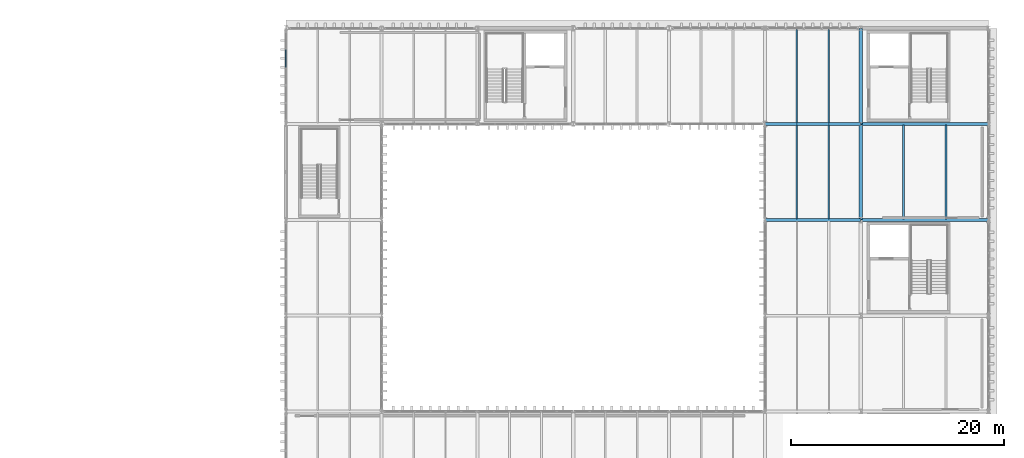
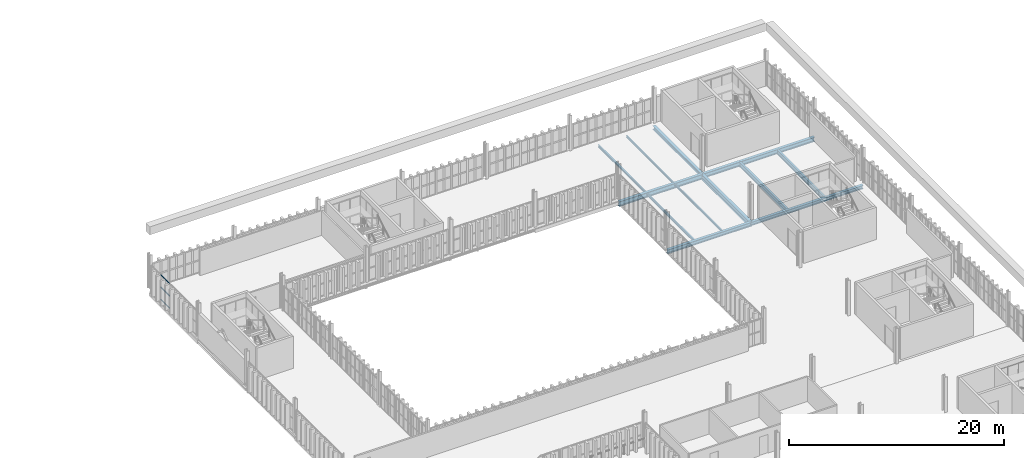
# One storey, part 67 of 102: 12 beams, 3 members, 1 element without a shape of its own.
"""IFC4 building model written with IfcOpenShell, lengths in metres."""

from ifc_helpers import new_model, si_unit, direction, frame, origin, origin_2d, place, context, subcontext, project, spatial, hollow_rectangle, i_section, extrude, material, layer, layer_set, material_profile, profile_set, type_object, element, aggregate, save


model = new_model("IFC4")

# Units and contexts
model_context = context("Model", 3, precision=1e-05, world=origin(), true_north=direction((0.0, 1.0)))
body_context = subcontext(model_context, "Body", "Model", "MODEL_VIEW")
ifc_project = project(units=[si_unit("LENGTHUNIT", "METRE"), si_unit("AREAUNIT", "SQUARE_METRE"), si_unit("VOLUMEUNIT", "CUBIC_METRE"), si_unit("PLANEANGLEUNIT", "RADIAN"), si_unit("MASSUNIT", "GRAM", prefix="KILO")], contexts=[model_context])

# Site, building, storey
site_placement = place(None, origin())
site = spatial("IfcSite", under=ifc_project, at=site_placement, CompositionType="ELEMENT")
building_placement = place(site_placement, origin())
building = spatial("IfcBuilding", under=site, at=building_placement, Name="Barlavento Convention Centre", CompositionType="ELEMENT")
storey_placement = place(building_placement, frame((0.0, 0.0, 22.800048828125)))
storey = spatial("IfcBuildingStorey", under=building, at=storey_placement, Name="L04", CompositionType="ELEMENT", Elevation=22.800048828125)

# Curtain wall, members
ifc_material_1 = material(Name="Powder-coated aluminium and Low-E glass", Category="aluminium")
ifc_layer = layer(ifc_material_1, 0.18505859375)
ifc_layer_set = layer_set([ifc_layer], Name="ARC-CW-CONF-L04")
curtain_wall_type = type_object("IfcCurtainWallType", Name="ARC-CW-CONF-L04", PredefinedType="NOTDEFINED", material=ifc_layer_set)
curtain_wall_placement = place(storey_placement, origin())
curtain_wall = element("IfcCurtainWall", 1, at=curtain_wall_placement, inside=storey, type_object=curtain_wall_type, Name="L04 unitised curtain wall CW09", PredefinedType="NOTDEFINED")
ifc_material_2 = material(Name="Powder-coated aluminium", Category="aluminium")
ifc_material_profile_1 = material_profile(ifc_material_2, hollow_rectangle(XDim=0.06005859375, YDim=0.1201171875, WallThickness=0.00390625, at=origin_2d()), Name="AL-TRAN 60x120x4")
ifc_profile_set_1 = profile_set([ifc_material_profile_1], Name="Powder-coated aluminium")
member_type = type_object("IfcMemberType", Name="ARC-CWT-60X120", PredefinedType="USERDEFINED", material=ifc_profile_set_1)
member_1_placement = place(storey_placement, frame((126.0, 95.35791015625, 0.030029296875), z_axis=(0.0, 1.0, 0.0), x_axis=(-1.0, 0.0, 0.0)))
member_1 = element("IfcMember", 2, at=member_1_placement, type_object=member_type, Name="CW09 transom 4.1", ObjectType="TRANSOM", PredefinedType="USERDEFINED", context=body_context, shape_type="SweptSolid", body=[
    extrude(hollow_rectangle(XDim=0.06005859375, YDim=0.1201171875, WallThickness=0.00390625, at=origin_2d()), origin(), (0.0, 0.0, 1.0), 1.62109375),
])
member_2_placement = place(storey_placement, frame((126.0, 95.35791015625, 1.425048828125), z_axis=(0.0, 1.0, 0.0), x_axis=(-1.0, 0.0, 0.0)))
member_2 = element("IfcMember", 3, at=member_2_placement, type_object=member_type, Name="CW09 transom 4.2", ObjectType="TRANSOM", PredefinedType="USERDEFINED", context=body_context, shape_type="SweptSolid", body=[
    extrude(hollow_rectangle(XDim=0.06005859375, YDim=0.1201171875, WallThickness=0.00390625, at=origin_2d()), origin(), (0.0, 0.0, 1.0), 1.62109375),
])
member_3_placement = place(storey_placement, frame((126.0, 95.35791015625, 2.820068359375), z_axis=(0.0, 1.0, 0.0), x_axis=(-1.0, 0.0, 0.0)))
member_3 = element("IfcMember", 4, at=member_3_placement, type_object=member_type, Name="CW09 transom 4.3", ObjectType="TRANSOM", PredefinedType="USERDEFINED", context=body_context, shape_type="SweptSolid", body=[
    extrude(hollow_rectangle(XDim=0.06005859375, YDim=0.1201171875, WallThickness=0.00390625, at=origin_2d()), origin(), (0.0, 0.0, 1.0), 1.62109375),
])
aggregate(curtain_wall, [member_1, member_2, member_3])

# Beams
ifc_material_3 = material(Name="Steel S355", Category="steel")
ifc_material_profile_2 = material_profile(ifc_material_3, i_section(OverallWidth=0.1201171875, OverallDepth=0.239990234375, WebThickness=0.006103515625, FlangeThickness=0.009765625, FilletRadius=0.014892578125, at=origin_2d()), Name="IPE 240")
ifc_profile_set_2 = profile_set([ifc_material_profile_2], Name="Steel S355")
beam_type_1 = type_object("IfcBeamType", Name="STR-BM-JST-IPE240", PredefinedType="JOIST", material=ifc_profile_set_2)
for number, where, z_axis, x_axis, name in (
    (5, (177.0, 81.094970703125, -0.47998046875), (0.0, 1.0, 0.0), (-1.0, 0.0, 0.0), "L04 composite floor joist SJ09"),
    (6, (177.0, 90.094970703125, -0.47998046875), (0.0, 1.0, 0.0), (-1.0, 0.0, 0.0), "L04 composite floor joist SJ09"),
):
    element("IfcBeam", number, at=place(storey_placement, frame(where, z_axis=z_axis, x_axis=x_axis)), inside=storey, type_object=beam_type_1, Name=name, PredefinedType="JOIST", context=body_context, shape_type="SweptSolid", body=[
        extrude(i_section(OverallWidth=0.1201171875, OverallDepth=0.239990234375, WebThickness=0.006103515625, FlangeThickness=0.009765625, FilletRadius=0.014892578125, at=origin_2d()), origin(), (0.0, 0.0, 1.0), 8.81005859375),
    ])
ifc_material_profile_3 = material_profile(ifc_material_3, i_section(OverallWidth=0.135009765625, OverallDepth=0.27001953125, WebThickness=0.006591796875, FlangeThickness=0.01025390625, FilletRadius=0.014892578125, at=origin_2d()), Name="IPE 270")
ifc_profile_set_3 = profile_set([ifc_material_profile_3], Name="Steel S355")
beam_type_2 = type_object("IfcBeamType", Name="STR-BM-JST-IPE270", PredefinedType="JOIST", material=ifc_profile_set_3)
for number, where, z_axis, x_axis, name in (
    (7, (174.0, 81.094970703125, -0.4951171875), (0.0, 1.0, 0.0), (-1.0, 0.0, 0.0), "L04 composite floor joist SJ08"),
    (8, (174.0, 90.094970703125, -0.4951171875), (0.0, 1.0, 0.0), (-1.0, 0.0, 0.0), "L04 composite floor joist SJ08"),
):
    element("IfcBeam", number, at=place(storey_placement, frame(where, z_axis=z_axis, x_axis=x_axis)), inside=storey, type_object=beam_type_2, Name=name, PredefinedType="JOIST", context=body_context, shape_type="SweptSolid", body=[
        extrude(i_section(OverallWidth=0.135009765625, OverallDepth=0.27001953125, WebThickness=0.006591796875, FlangeThickness=0.01025390625, FilletRadius=0.014892578125, at=origin_2d()), origin(), (0.0, 0.0, 1.0), 8.81005859375),
    ])
ifc_material_profile_4 = material_profile(ifc_material_3, i_section(OverallWidth=0.199951171875, OverallDepth=0.5, WebThickness=0.01025390625, FlangeThickness=0.01611328125, FilletRadius=0.02099609375, at=origin_2d()), Name="IPE 500")
ifc_profile_set_4 = profile_set([ifc_material_profile_4], Name="Steel S355")
beam_type_3 = type_object("IfcBeamType", Name="STR-BM-JST-IPE500", PredefinedType="JOIST", material=ifc_profile_set_4)
beam_1_placement = place(storey_placement, frame((188.0, 81.094970703125, -0.610107421875), z_axis=(0.0, 1.0, 0.0), x_axis=(-1.0, 0.0, 0.0)))
element("IfcBeam", 9, at=beam_1_placement, inside=storey, type_object=beam_type_3, Name="L04 composite floor joist SJ02", PredefinedType="JOIST", context=body_context, shape_type="SweptSolid", body=[
    extrude(i_section(OverallWidth=0.199951171875, OverallDepth=0.5, WebThickness=0.01025390625, FlangeThickness=0.01611328125, FilletRadius=0.02099609375, at=origin_2d()), origin(), (0.0, 0.0, 1.0), 8.81005859375),
])
ifc_material_profile_5 = material_profile(ifc_material_3, i_section(OverallWidth=0.2099609375, OverallDepth=0.550048828125, WebThickness=0.010986328125, FlangeThickness=0.01708984375, FilletRadius=0.02392578125, at=origin_2d()), Name="IPE 550")
ifc_profile_set_5 = profile_set([ifc_material_profile_5], Name="Steel S355")
beam_type_4 = type_object("IfcBeamType", Name="STR-BM-JST-IPE550", PredefinedType="JOIST", material=ifc_profile_set_5)
beam_2_placement = place(storey_placement, frame((184.0, 81.094970703125, -0.635009765625), z_axis=(0.0, 1.0, 0.0), x_axis=(-1.0, 0.0, 0.0)))
element("IfcBeam", 10, at=beam_2_placement, inside=storey, type_object=beam_type_4, Name="L04 composite floor joist SJ01", PredefinedType="JOIST", context=body_context, shape_type="SweptSolid", body=[
    extrude(i_section(OverallWidth=0.2099609375, OverallDepth=0.550048828125, WebThickness=0.010986328125, FlangeThickness=0.01708984375, FilletRadius=0.02392578125, at=origin_2d()), origin(), (0.0, 0.0, 1.0), 8.81005859375),
])
ifc_material_profile_6 = material_profile(ifc_material_3, i_section(OverallWidth=0.300048828125, OverallDepth=0.389892578125, WebThickness=0.010986328125, FlangeThickness=0.01904296875, FilletRadius=0.027099609375, at=origin_2d()), Name="HEA 400")
ifc_profile_set_6 = profile_set([ifc_material_profile_6], Name="Steel S355")
beam_type_5 = type_object("IfcBeamType", Name="STR-BM-PRI-HEA400", PredefinedType="BEAM", material=ifc_profile_set_6)
beam_3_placement = place(storey_placement, frame((180.0, 90.02001953125, -0.554931640625), z_axis=(0.0, 1.0, 0.0), x_axis=(-1.0, 0.0, 0.0)))
element("IfcBeam", 11, at=beam_3_placement, inside=storey, type_object=beam_type_5, Name="L04 grid girder BG22", PredefinedType="BEAM", context=body_context, shape_type="SweptSolid", body=[
    extrude(i_section(OverallWidth=0.300048828125, OverallDepth=0.389892578125, WebThickness=0.010986328125, FlangeThickness=0.01904296875, FilletRadius=0.027099609375, at=origin_2d()), origin(), (0.0, 0.0, 1.0), 8.9599609375),
])
ifc_material_profile_7 = material_profile(ifc_material_3, i_section(OverallWidth=0.300048828125, OverallDepth=0.590087890625, WebThickness=0.012939453125, FlangeThickness=0.02490234375, FilletRadius=0.027099609375, at=origin_2d()), Name="HEA 600")
ifc_profile_set_7 = profile_set([ifc_material_profile_7], Name="Steel S355")
beam_type_6 = type_object("IfcBeamType", Name="STR-BM-PRI-HEA600", PredefinedType="BEAM", material=ifc_profile_set_7)
beam_4_placement = place(storey_placement, frame((180.0, 81.02001953125, -0.655029296875), z_axis=(0.0, 1.0, 0.0), x_axis=(-1.0, 0.0, 0.0)))
element("IfcBeam", 12, at=beam_4_placement, inside=storey, type_object=beam_type_6, Name="L04 grid girder BG18", PredefinedType="BEAM", context=body_context, shape_type="SweptSolid", body=[
    extrude(i_section(OverallWidth=0.300048828125, OverallDepth=0.590087890625, WebThickness=0.012939453125, FlangeThickness=0.02490234375, FilletRadius=0.027099609375, at=origin_2d()), origin(), (0.0, 0.0, 1.0), 8.9599609375),
])
ifc_material_profile_8 = material_profile(ifc_material_3, i_section(OverallWidth=0.300048828125, OverallDepth=0.39990234375, WebThickness=0.013427734375, FlangeThickness=0.02392578125, FilletRadius=0.027099609375, at=origin_2d()), Name="HEB 400")
ifc_profile_set_8 = profile_set([ifc_material_profile_8], Name="Steel S355")
beam_type_7 = type_object("IfcBeamType", Name="STR-BM-PRI-HEB400", PredefinedType="BEAM", material=ifc_profile_set_8)
beam_5_placement = place(storey_placement, frame((180.02001953125, 81.0, -0.56005859375), z_axis=(1.0, 0.0, 0.0), x_axis=(0.0, 1.0, 0.0)))
element("IfcBeam", 13, at=beam_5_placement, inside=storey, type_object=beam_type_7, Name="L04 primary girder BG11", PredefinedType="BEAM", context=body_context, shape_type="SweptSolid", body=[
    extrude(i_section(OverallWidth=0.300048828125, OverallDepth=0.39990234375, WebThickness=0.013427734375, FlangeThickness=0.02392578125, FilletRadius=0.027099609375, at=origin_2d()), origin(), (0.0, 0.0, 1.0), 11.9599609375),
])
ifc_material_profile_9 = material_profile(ifc_material_3, i_section(OverallWidth=0.300048828125, OverallDepth=0.449951171875, WebThickness=0.013916015625, FlangeThickness=0.02587890625, FilletRadius=0.027099609375, at=origin_2d()), Name="HEB 450")
ifc_profile_set_9 = profile_set([ifc_material_profile_9], Name="Steel S355")
beam_type_8 = type_object("IfcBeamType", Name="STR-BM-PRI-HEB450", PredefinedType="BEAM", material=ifc_profile_set_9)
beam_6_placement = place(storey_placement, frame((171.02001953125, 81.0, -0.5849609375), z_axis=(1.0, 0.0, 0.0), x_axis=(0.0, 1.0, 0.0)))
element("IfcBeam", 14, at=beam_6_placement, inside=storey, type_object=beam_type_8, Name="L04 primary girder BG10", PredefinedType="BEAM", context=body_context, shape_type="SweptSolid", body=[
    extrude(i_section(OverallWidth=0.300048828125, OverallDepth=0.449951171875, WebThickness=0.013916015625, FlangeThickness=0.02587890625, FilletRadius=0.027099609375, at=origin_2d()), origin(), (0.0, 0.0, 1.0), 8.9599609375),
])
ifc_material_profile_10 = material_profile(ifc_material_3, i_section(OverallWidth=0.300048828125, OverallDepth=0.5, WebThickness=0.014404296875, FlangeThickness=0.028076171875, FilletRadius=0.027099609375, at=origin_2d()), Name="HEB 500")
ifc_profile_set_10 = profile_set([ifc_material_profile_10], Name="Steel S355")
beam_type_9 = type_object("IfcBeamType", Name="STR-BM-PRI-HEB500", PredefinedType="BEAM", material=ifc_profile_set_10)
beam_7_placement = place(storey_placement, frame((180.02001953125, 90.0, -0.610107421875), z_axis=(1.0, 0.0, 0.0), x_axis=(0.0, 1.0, 0.0)))
element("IfcBeam", 15, at=beam_7_placement, inside=storey, type_object=beam_type_9, Name="L04 primary girder BG09", PredefinedType="BEAM", context=body_context, shape_type="SweptSolid", body=[
    extrude(i_section(OverallWidth=0.300048828125, OverallDepth=0.5, WebThickness=0.014404296875, FlangeThickness=0.028076171875, FilletRadius=0.027099609375, at=origin_2d()), origin(), (0.0, 0.0, 1.0), 11.9599609375),
])
ifc_material_profile_11 = material_profile(ifc_material_3, i_section(OverallWidth=0.300048828125, OverallDepth=0.550048828125, WebThickness=0.014892578125, FlangeThickness=0.029052734375, FilletRadius=0.027099609375, at=origin_2d()), Name="HEB 550")
ifc_profile_set_11 = profile_set([ifc_material_profile_11], Name="Steel S355")
beam_type_10 = type_object("IfcBeamType", Name="STR-BM-PRI-HEB550", PredefinedType="BEAM", material=ifc_profile_set_11)
beam_8_placement = place(storey_placement, frame((171.02001953125, 90.0, -0.635009765625), z_axis=(1.0, 0.0, 0.0), x_axis=(0.0, 1.0, 0.0)))
element("IfcBeam", 16, at=beam_8_placement, inside=storey, type_object=beam_type_10, Name="L04 primary girder BG08", PredefinedType="BEAM", context=body_context, shape_type="SweptSolid", body=[
    extrude(i_section(OverallWidth=0.300048828125, OverallDepth=0.550048828125, WebThickness=0.014892578125, FlangeThickness=0.029052734375, FilletRadius=0.027099609375, at=origin_2d()), origin(), (0.0, 0.0, 1.0), 8.9599609375),
])

save(model, "model.ifc")
